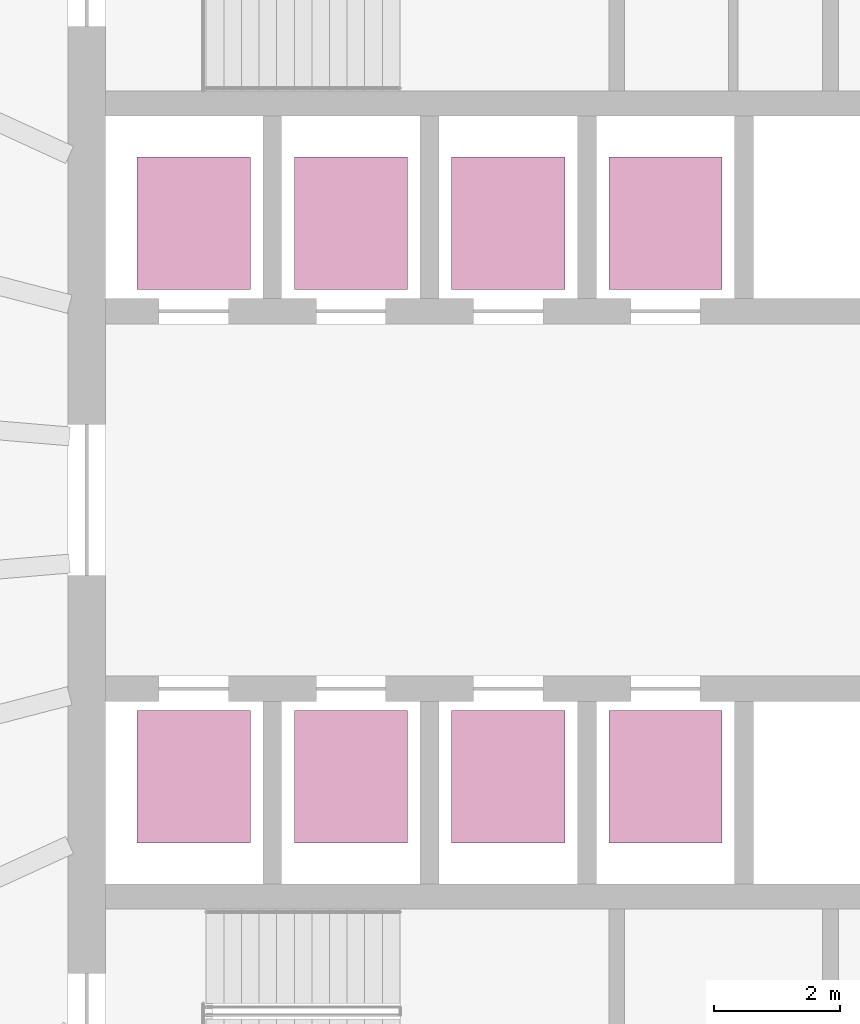
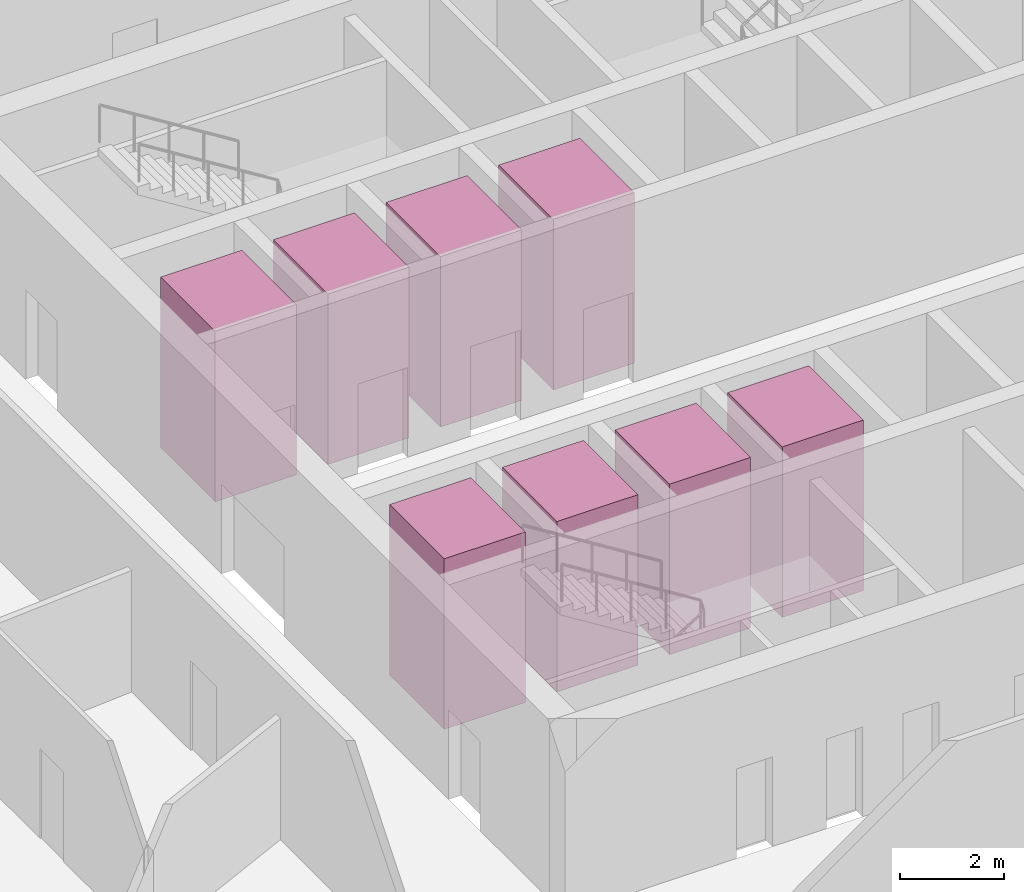
# One storey, part 10 of 10: 8 transport elements.
"""IFC4 building model written with IfcOpenShell, lengths in metres."""

from ifc_helpers import new_model, si_unit, direction, frame, origin, origin_2d, place, context, subcontext, project, spatial, rectangle, extrude, material, type_object, element, save


model = new_model("IFC4")

# Units and contexts
model_context = context("Model", 3, precision=1e-05, world=origin(), true_north=direction((0.0, 1.0)))
body_context = subcontext(model_context, "Body", "Model", "MODEL_VIEW")
ifc_project = project(units=[si_unit("LENGTHUNIT", "METRE"), si_unit("AREAUNIT", "SQUARE_METRE"), si_unit("VOLUMEUNIT", "CUBIC_METRE"), si_unit("PLANEANGLEUNIT", "RADIAN"), si_unit("MASSUNIT", "GRAM", prefix="KILO")], contexts=[model_context])

# Site, building, storey
site_placement = place(None, origin())
site = spatial("IfcSite", under=ifc_project, at=site_placement, CompositionType="ELEMENT")
building_placement = place(site_placement, origin())
building = spatial("IfcBuilding", under=site, at=building_placement, Name="Halqa Exchange Tower", CompositionType="ELEMENT")
storey_placement = place(building_placement, frame((0.0, 0.0, 94.89990234375)))
storey = spatial("IfcBuildingStorey", under=building, at=storey_placement, Name="L21", CompositionType="ELEMENT", Elevation=94.89990234375)

# Transport elements
ifc_material = material(Name="Stainless steel", Category="steel")
transport_element_type = type_object("IfcTransportElementType", Name="Low-rise passenger lift 1800 x 2100", PredefinedType="ELEVATOR", material=ifc_material)
for number, where, z_axis, x_axis, name in (
    (1, (-10.0, 4.39990234375, 0.0), (0.0, 0.0, 1.0), (1.0, 0.0, 0.0), "Low-rise passenger lift LR1"),
    (2, (-7.5, 4.39990234375, 0.0), (0.0, 0.0, 1.0), (1.0, 0.0, 0.0), "Low-rise passenger lift LR2"),
    (3, (-5.0, 4.39990234375, 0.0), (0.0, 0.0, 1.0), (1.0, 0.0, 0.0), "Low-rise passenger lift LR3"),
    (4, (-2.5, 4.39990234375, 0.0), (0.0, 0.0, 1.0), (1.0, 0.0, 0.0), "Low-rise passenger lift LR4"),
    (5, (-10.0, -4.39990234375, 0.0), (0.0, 0.0, 1.0), (1.0, 0.0, 0.0), "Low-rise passenger lift LR5"),
    (6, (-7.5, -4.39990234375, 0.0), (0.0, 0.0, 1.0), (1.0, 0.0, 0.0), "Low-rise passenger lift LR6"),
    (7, (-5.0, -4.39990234375, 0.0), (0.0, 0.0, 1.0), (1.0, 0.0, 0.0), "Low-rise passenger lift LR7"),
    (8, (-2.5, -4.39990234375, 0.0), (0.0, 0.0, 1.0), (1.0, 0.0, 0.0), "Low-rise passenger lift LR8"),
):
    element("IfcTransportElement", number, at=place(storey_placement, frame(where, z_axis=z_axis, x_axis=x_axis)), inside=storey, type_object=transport_element_type, Name=name, PredefinedType="ELEVATOR", context=body_context, shape_type="SweptSolid", body=[
        extrude(rectangle(XDim=1.800048828125, YDim=2.10009765625, at=origin_2d()), origin(), (0.0, 0.0, 1.0), 4.0),
    ])

save(model, "model.ifc")
